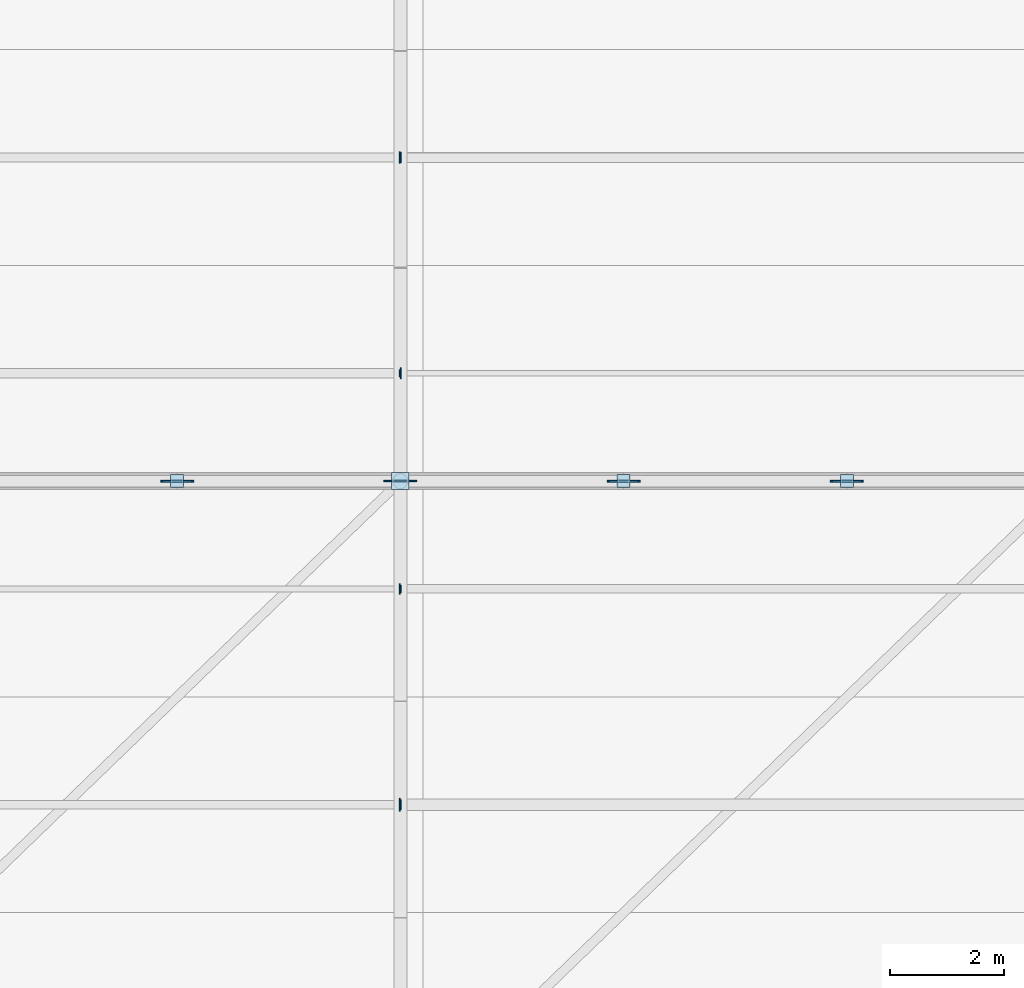
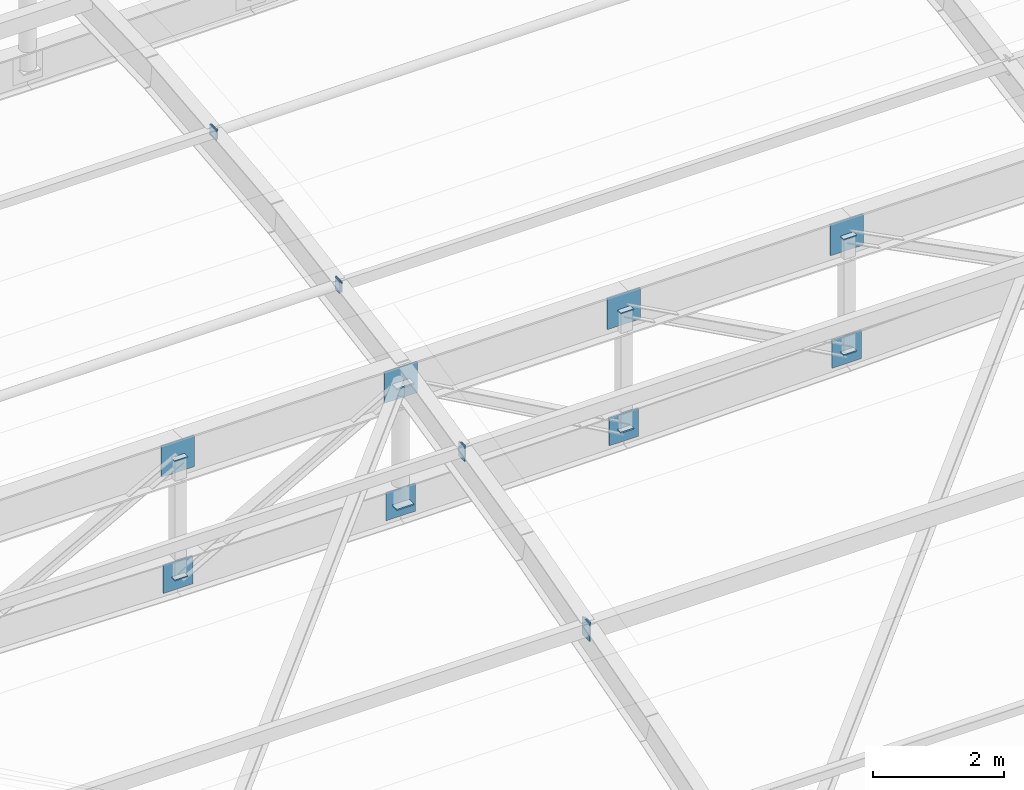
# One storey, part 59 of 65: 24 plates.
"""IFC4 building model written with IfcOpenShell, lengths in metres."""

from ifc_helpers import new_model, si_unit, direction, frame, origin, origin_2d, place, context, subcontext, project, spatial, rectangle, extrude, material, layer, layer_set, type_object, element, save


model = new_model("IFC4")

# Units and contexts
model_context = context("Model", 3, precision=1e-05, world=origin(), true_north=direction((0.0, 1.0)))
body_context = subcontext(model_context, "Body", "Model", "MODEL_VIEW")
ifc_project = project(units=[si_unit("LENGTHUNIT", "METRE"), si_unit("AREAUNIT", "SQUARE_METRE"), si_unit("VOLUMEUNIT", "CUBIC_METRE"), si_unit("PLANEANGLEUNIT", "RADIAN"), si_unit("MASSUNIT", "GRAM", prefix="KILO"), si_unit("POWERUNIT", "WATT"), si_unit("THERMODYNAMICTEMPERATUREUNIT", "KELVIN")], contexts=[model_context])

# Site, building, storey
site_placement = place(None, origin())
site = spatial("IfcSite", under=ifc_project, at=site_placement, CompositionType="ELEMENT")
building_placement = place(site_placement, origin())
building = spatial("IfcBuilding", under=site, at=building_placement, Name="Kelmbourne Parkland Aquatics Centre", CompositionType="ELEMENT")
storey_placement = place(building_placement, frame((0.0, 0.0, 27.0)))
storey = spatial("IfcBuildingStorey", under=building, at=storey_placement, Name="RF", CompositionType="ELEMENT", Elevation=27.0)

# Plates
ifc_material = material(Name="Welded plate steel AS/NZS 3678 Grade 350", Category="steel")
ifc_layer_1 = layer(ifc_material, 0.02001953125)
ifc_layer_set_1 = layer_set([ifc_layer_1], Name="Welded plate steel AS/NZS 3678 Grade 350")
plate_type_1 = type_object("IfcPlateType", Name="PL-CAP-20", PredefinedType="USERDEFINED", material=ifc_layer_set_1)
for number, where, z_axis, x_axis, name in (
    (1, (147.666748046875, 103.39990234375, -2.241943359375), (0.0, 0.0, 1.0), (1.0, 0.0, 0.0), "Hollow end cap plate CAP-0259"),
    (2, (147.666748046875, 103.39990234375, -0.017578125), (0.0, 0.0, 1.0), (1.0, 0.0, 0.0), "Hollow end cap plate CAP-0260"),
    (3, (155.533203125, 103.39990234375, -2.241943359375), (0.0, 0.0, 1.0), (1.0, 0.0, 0.0), "Hollow end cap plate CAP-0263"),
    (4, (155.533203125, 103.39990234375, -0.017578125), (0.0, 0.0, 1.0), (1.0, 0.0, 0.0), "Hollow end cap plate CAP-0264"),
    (5, (159.466796875, 103.39990234375, -2.171142578125), (0.0, 0.0, 1.0), (1.0, 0.0, 0.0), "Hollow end cap plate CAP-0265"),
    (6, (159.466796875, 103.39990234375, -0.017578125), (0.0, 0.0, 1.0), (1.0, 0.0, 0.0), "Hollow end cap plate CAP-0266"),
):
    element("IfcPlate", number, at=place(storey_placement, frame(where, z_axis=z_axis, x_axis=x_axis)), inside=storey, type_object=plate_type_1, Name=name, ObjectType="END CAP PLATE", PredefinedType="USERDEFINED", context=body_context, shape_type="SweptSolid", body=[
        extrude(rectangle(XDim=0.22998046875, YDim=0.22998046875, at=origin_2d()), origin(), (0.0, 0.0, 1.0), 0.02001953125),
    ])
plate_1_placement = place(storey_placement, frame((151.60888671875, 97.699951171875, -1.2724609375), z_axis=(0.0, 0.0, 1.0), x_axis=(1.0, 0.0, 0.0)))
element("IfcPlate", 7, at=plate_1_placement, inside=storey, type_object=plate_type_1, Name="Hollow end cap plate CAP-0504", ObjectType="END CAP PLATE", PredefinedType="USERDEFINED", context=body_context, shape_type="SweptSolid", body=[
    extrude(rectangle(XDim=0.02001953125, YDim=0.179931640625, at=origin_2d()), origin(), (0.0, 0.0, 1.0), 0.280029296875),
])
plate_2_placement = place(storey_placement, frame((151.60888671875, 101.5, -0.2431640625), z_axis=(0.0, 0.0, 1.0), x_axis=(1.0, 0.0, 0.0)))
element("IfcPlate", 8, at=plate_2_placement, inside=storey, type_object=plate_type_1, Name="Hollow end cap plate CAP-0512", ObjectType="END CAP PLATE", PredefinedType="USERDEFINED", context=body_context, shape_type="SweptSolid", body=[
    extrude(rectangle(XDim=0.02001953125, YDim=0.1298828125, at=origin_2d()), origin(), (0.0, 0.0, 1.0), 0.22998046875),
])
plate_3_placement = place(storey_placement, frame((151.591064453125, 101.5, -0.29296875), z_axis=(0.0, 0.0, 1.0), x_axis=(-1.0, 0.0, 0.0)))
element("IfcPlate", 9, at=plate_3_placement, inside=storey, type_object=plate_type_1, Name="Hollow end cap plate CAP-0513", ObjectType="END CAP PLATE", PredefinedType="USERDEFINED", context=body_context, shape_type="SweptSolid", body=[
    extrude(rectangle(XDim=0.02001953125, YDim=0.179931640625, at=origin_2d()), origin(), (0.0, 0.0, 1.0), 0.280029296875),
])
plate_4_placement = place(storey_placement, frame((151.60888671875, 105.300048828125, 0.55810546875), z_axis=(0.0, 0.0, 1.0), x_axis=(1.0, 0.0, 0.0)))
element("IfcPlate", 10, at=plate_4_placement, inside=storey, type_object=plate_type_1, Name="Hollow end cap plate CAP-0520", ObjectType="END CAP PLATE", PredefinedType="USERDEFINED", context=body_context, shape_type="SweptSolid", body=[
    extrude(rectangle(XDim=0.02001953125, YDim=0.1982421875, at=origin_2d()), origin(), (0.0, 0.0, 1.0), 0.1982421875),
])
plate_5_placement = place(storey_placement, frame((151.591064453125, 105.300048828125, 0.5263671875), z_axis=(0.0, 0.0, 1.0), x_axis=(-1.0, 0.0, 0.0)))
element("IfcPlate", 11, at=plate_5_placement, inside=storey, type_object=plate_type_1, Name="Hollow end cap plate CAP-0521", ObjectType="END CAP PLATE", PredefinedType="USERDEFINED", context=body_context, shape_type="SweptSolid", body=[
    extrude(rectangle(XDim=0.02001953125, YDim=0.1298828125, at=origin_2d()), origin(), (0.0, 0.0, 1.0), 0.22998046875),
])
plate_6_placement = place(storey_placement, frame((151.60888671875, 109.10009765625, 1.1064453125), z_axis=(0.0, 0.0, 1.0), x_axis=(1.0, 0.0, 0.0)))
element("IfcPlate", 12, at=plate_6_placement, inside=storey, type_object=plate_type_1, Name="Hollow end cap plate CAP-0528", ObjectType="END CAP PLATE", PredefinedType="USERDEFINED", context=body_context, shape_type="SweptSolid", body=[
    extrude(rectangle(XDim=0.02001953125, YDim=0.179931640625, at=origin_2d()), origin(), (0.0, 0.0, 1.0), 0.179931640625),
])
plate_7_placement = place(storey_placement, frame((151.591064453125, 109.10009765625, 1.08837890625), z_axis=(0.0, 0.0, 1.0), x_axis=(-1.0, 0.0, 0.0)))
element("IfcPlate", 13, at=plate_7_placement, inside=storey, type_object=plate_type_1, Name="Hollow end cap plate CAP-0529", ObjectType="END CAP PLATE", PredefinedType="USERDEFINED", context=body_context, shape_type="SweptSolid", body=[
    extrude(rectangle(XDim=0.02001953125, YDim=0.1982421875, at=origin_2d()), origin(), (0.0, 0.0, 1.0), 0.1982421875),
])
ifc_layer_2 = layer(ifc_material, 0.02392578125)
ifc_layer_set_2 = layer_set([ifc_layer_2], Name="Welded plate steel AS/NZS 3678 Grade 350")
plate_type_2 = type_object("IfcPlateType", Name="PL-CAP-24", PredefinedType="USERDEFINED", material=ifc_layer_set_2)
for number, where, z_axis, x_axis, name in (
    (14, (151.60009765625, 103.39990234375, -2.26953125), (0.0, 0.0, 1.0), (1.0, 0.0, 0.0), "Hollow end cap plate CAP-0261"),
    (15, (151.60009765625, 103.39990234375, -0.017578125), (0.0, 0.0, 1.0), (1.0, 0.0, 0.0), "Hollow end cap plate CAP-0262"),
):
    element("IfcPlate", number, at=place(storey_placement, frame(where, z_axis=z_axis, x_axis=x_axis)), inside=storey, type_object=plate_type_2, Name=name, ObjectType="END CAP PLATE", PredefinedType="USERDEFINED", context=body_context, shape_type="SweptSolid", body=[
        extrude(rectangle(XDim=0.302978515625, YDim=0.302978515625, at=origin_2d()), origin(), (0.0, 0.0, 1.0), 0.02392578125),
    ])
plate_8_placement = place(storey_placement, frame((151.589111328125, 97.699951171875, -1.322509765625), z_axis=(0.0, 0.0, 1.0), x_axis=(-1.0, 0.0, 0.0)))
element("IfcPlate", 16, at=plate_8_placement, inside=storey, type_object=plate_type_2, Name="Hollow end cap plate CAP-0505", ObjectType="END CAP PLATE", PredefinedType="USERDEFINED", context=body_context, shape_type="SweptSolid", body=[
    extrude(rectangle(XDim=0.02392578125, YDim=0.22998046875, at=origin_2d()), origin(), (0.0, 0.0, 1.0), 0.330078125),
])
ifc_layer_3 = layer(ifc_material, 0.02490234375)
ifc_layer_set_3 = layer_set([ifc_layer_3], Name="Welded plate steel AS/NZS 3678 Grade 350")
plate_type_3 = type_object("IfcPlateType", Name="PL-GUS-2", PredefinedType="USERDEFINED", material=ifc_layer_set_3)
plate_9_placement = place(storey_placement, frame((151.60009765625, 103.39990234375, -0.306640625), z_axis=(0.0, 0.0, 1.0), x_axis=(1.0, 0.0, 0.0)))
element("IfcPlate", 17, at=plate_9_placement, inside=storey, type_object=plate_type_3, Name="Truss top node TN-2 gusset plate R09-N6", ObjectType="GUSSET PLATE", PredefinedType="USERDEFINED", context=body_context, shape_type="SweptSolid", body=[
    extrude(rectangle(XDim=0.580078125, YDim=0.02490234375, at=origin_2d()), origin(), (0.0, 0.0, 1.0), 0.580078125),
])
plate_10_placement = place(storey_placement, frame((151.60009765625, 103.39990234375, -2.506591796875), z_axis=(0.0, 0.0, 1.0), x_axis=(1.0, 0.0, 0.0)))
element("IfcPlate", 18, at=plate_10_placement, inside=storey, type_object=plate_type_3, Name="Truss bottom node TN-2 gusset plate R09-B6", ObjectType="GUSSET PLATE", PredefinedType="USERDEFINED", context=body_context, shape_type="SweptSolid", body=[
    extrude(rectangle(XDim=0.52001953125, YDim=0.02490234375, at=origin_2d()), origin(), (0.0, 0.0, 1.0), 0.52001953125),
])
ifc_layer_4 = layer(ifc_material, 0.031982421875)
ifc_layer_set_4 = layer_set([ifc_layer_4], Name="Welded plate steel AS/NZS 3678 Grade 350")
plate_type_4 = type_object("IfcPlateType", Name="PL-GUS-3", PredefinedType="USERDEFINED", material=ifc_layer_set_4)
plate_11_placement = place(storey_placement, frame((147.666748046875, 103.39990234375, -0.306640625), z_axis=(0.0, 0.0, 1.0), x_axis=(1.0, 0.0, 0.0)))
element("IfcPlate", 19, at=plate_11_placement, inside=storey, type_object=plate_type_4, Name="Truss top node TN-3 gusset plate R09-N5", ObjectType="GUSSET PLATE", PredefinedType="USERDEFINED", context=body_context, shape_type="SweptSolid", body=[
    extrude(rectangle(XDim=0.580078125, YDim=0.031982421875, at=origin_2d()), origin(), (0.0, 0.0, 1.0), 0.580078125),
])
plate_12_placement = place(storey_placement, frame((147.666748046875, 103.39990234375, -2.48291015625), z_axis=(0.0, 0.0, 1.0), x_axis=(1.0, 0.0, 0.0)))
element("IfcPlate", 20, at=plate_12_placement, inside=storey, type_object=plate_type_4, Name="Truss bottom node TN-3 gusset plate R09-B5", ObjectType="GUSSET PLATE", PredefinedType="USERDEFINED", context=body_context, shape_type="SweptSolid", body=[
    extrude(rectangle(XDim=0.52001953125, YDim=0.031982421875, at=origin_2d()), origin(), (0.0, 0.0, 1.0), 0.52001953125),
])
plate_13_placement = place(storey_placement, frame((155.533203125, 103.39990234375, -0.306640625), z_axis=(0.0, 0.0, 1.0), x_axis=(1.0, 0.0, 0.0)))
element("IfcPlate", 21, at=plate_13_placement, inside=storey, type_object=plate_type_4, Name="Truss top node TN-3 gusset plate R09-N7", ObjectType="GUSSET PLATE", PredefinedType="USERDEFINED", context=body_context, shape_type="SweptSolid", body=[
    extrude(rectangle(XDim=0.580078125, YDim=0.031982421875, at=origin_2d()), origin(), (0.0, 0.0, 1.0), 0.580078125),
])
plate_14_placement = place(storey_placement, frame((155.533203125, 103.39990234375, -2.48291015625), z_axis=(0.0, 0.0, 1.0), x_axis=(1.0, 0.0, 0.0)))
element("IfcPlate", 22, at=plate_14_placement, inside=storey, type_object=plate_type_4, Name="Truss bottom node TN-3 gusset plate R09-B7", ObjectType="GUSSET PLATE", PredefinedType="USERDEFINED", context=body_context, shape_type="SweptSolid", body=[
    extrude(rectangle(XDim=0.52001953125, YDim=0.031982421875, at=origin_2d()), origin(), (0.0, 0.0, 1.0), 0.52001953125),
])
plate_15_placement = place(storey_placement, frame((159.466796875, 103.39990234375, -0.306640625), z_axis=(0.0, 0.0, 1.0), x_axis=(1.0, 0.0, 0.0)))
element("IfcPlate", 23, at=plate_15_placement, inside=storey, type_object=plate_type_4, Name="Truss top node TN-3 gusset plate R09-N8", ObjectType="GUSSET PLATE", PredefinedType="USERDEFINED", context=body_context, shape_type="SweptSolid", body=[
    extrude(rectangle(XDim=0.580078125, YDim=0.031982421875, at=origin_2d()), origin(), (0.0, 0.0, 1.0), 0.580078125),
])
plate_16_placement = place(storey_placement, frame((159.466796875, 103.39990234375, -2.412109375), z_axis=(0.0, 0.0, 1.0), x_axis=(1.0, 0.0, 0.0)))
element("IfcPlate", 24, at=plate_16_placement, inside=storey, type_object=plate_type_4, Name="Truss bottom node TN-3 gusset plate R09-B8", ObjectType="GUSSET PLATE", PredefinedType="USERDEFINED", context=body_context, shape_type="SweptSolid", body=[
    extrude(rectangle(XDim=0.52001953125, YDim=0.031982421875, at=origin_2d()), origin(), (0.0, 0.0, 1.0), 0.52001953125),
])

save(model, "model.ifc")
